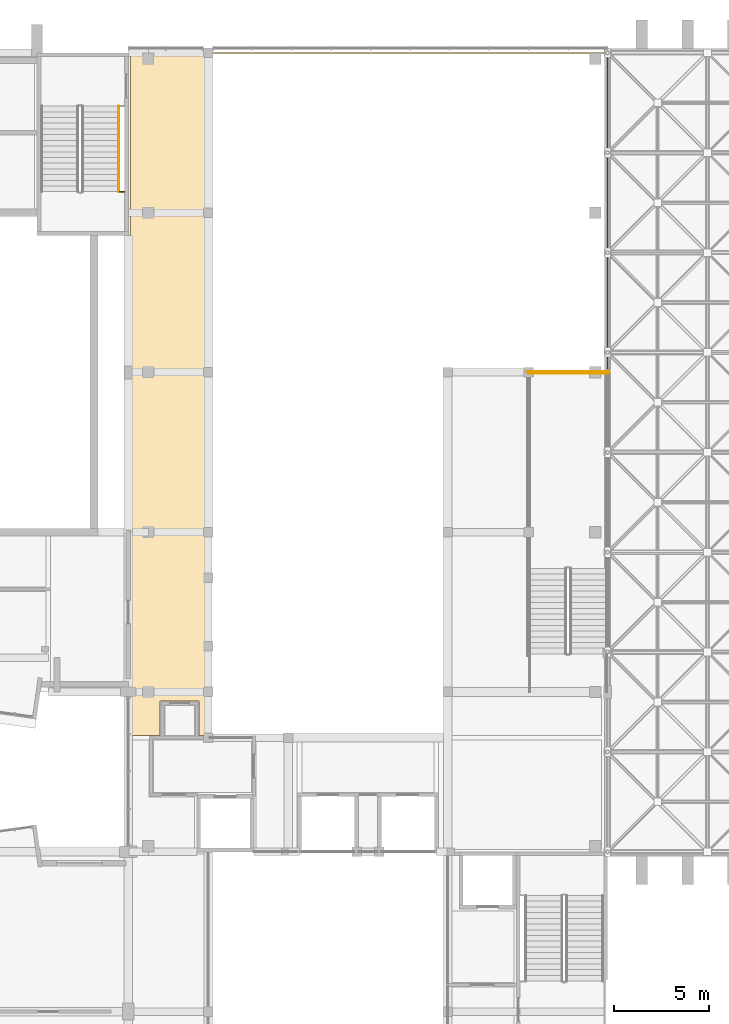
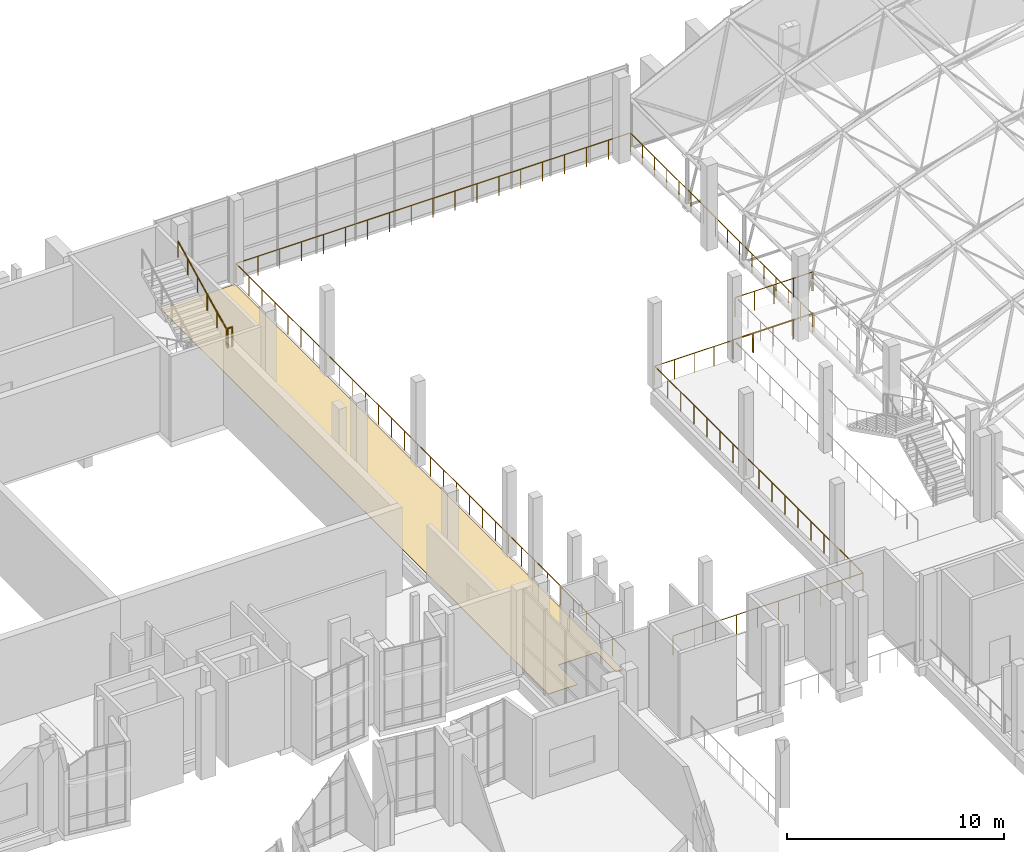
# One storey, part 92 of 100: 5 railings, 1 covering.
"""IFC4 building model written with IfcOpenShell, lengths in metres."""

import ifcopenshell
import ifcopenshell.guid

model = None  # the IFC model being written
_history = None  # IfcOwnerHistory: only IFC2X3 demands one
_inside = {}  # id of a spatial element -> (the spatial element, [elements in it])
_under = {}  # id of a project, library or spatial element -> (it, [spatial elements below it])
_declared = {}  # id of a project -> (the project, [libraries it declares])
_typed = {}  # id of a type object -> (the type object, [elements of that type])
_made_of = {}  # id of a material, layer set ... -> (it, [elements and type objects made of it])


def new_model(schema):
    """Start an empty IFC model of exactly this schema.

    Asked for "IFC4X3", IfcOpenShell would pick the latest addendum, in which some entities
    have other attributes; the version numbers below select the first issue.
    IFC2X3 requires an IfcOwnerHistory on every rooted entity: one is made here for all.
    """
    global model, _history
    if schema == "IFC4X3":
        model = ifcopenshell.file(schema_version=(4, 3, 0, 0))
    else:
        model = ifcopenshell.file(schema=schema)
    _inside.clear()
    _under.clear()
    _declared.clear()
    _typed.clear()
    _made_of.clear()
    _history = None
    if model.schema == "IFC2X3":
        org = make("IfcOrganization", Name="unknown")
        user = make(
            "IfcPersonAndOrganization",
            ThePerson=make("IfcPerson", FamilyName="unknown"),
            TheOrganization=org,
        )
        app = make(
            "IfcApplication",
            ApplicationDeveloper=org,
            Version="unknown",
            ApplicationFullName="unknown",
            ApplicationIdentifier="unknown",
        )
        _history = make(
            "IfcOwnerHistory",
            OwningUser=user,
            OwningApplication=app,
            ChangeAction="ADDED",
            CreationDate=0,
        )
    return model


def make(cls, **values):
    """One entity of the class cls with the attributes given. An attribute that is None is left unset."""
    return model.create_entity(
        cls, **{name: value for name, value in values.items() if value is not None}
    )


def rooted(cls, **values):
    """An entity with a GlobalId (a new one), such as an element, a storey or a relation."""
    return make(cls, GlobalId=ifcopenshell.guid.new(), OwnerHistory=_history, **values)


def si_unit(unit_type, name, prefix=None):
    """IfcSIUnit, for example si_unit("LENGTHUNIT", "METRE", prefix="MILLI")."""
    return make("IfcSIUnit", UnitType=unit_type, Prefix=prefix, Name=name)


def assignment(units):
    """IfcUnitAssignment: the units of a project."""
    return None if units is None else make("IfcUnitAssignment", Units=units)


def point(xyz):
    """IfcCartesianPoint."""
    return None if xyz is None else make("IfcCartesianPoint", Coordinates=xyz)


def direction(xyz):
    """IfcDirection."""
    return None if xyz is None else make("IfcDirection", DirectionRatios=xyz)


def frame(location, z_axis=None, x_axis=None):
    """IfcAxis2Placement3D, a coordinate frame: its origin and axes. An axis left out is left unset."""
    return make(
        "IfcAxis2Placement3D",
        Location=point(location),
        Axis=direction(z_axis),
        RefDirection=direction(x_axis),
    )


def frame_2d(location, x_axis=None):
    """IfcAxis2Placement2D, a coordinate frame in the plane: its origin and x axis."""
    return make(
        "IfcAxis2Placement2D", Location=point(location), RefDirection=direction(x_axis)
    )


def origin():
    """The frame at (0, 0, 0) with its axes left unset."""
    return frame((0.0, 0.0, 0.0))


def origin_2d():
    """The frame at (0, 0) in the plane with its x axis left unset."""
    return frame_2d((0.0, 0.0))


def place(relative_to, where):
    """IfcLocalPlacement: puts the frame where relative to a parent placement (None: the world)."""
    return make(
        "IfcLocalPlacement", PlacementRelTo=relative_to, RelativePlacement=where
    )


def context(
    kind, dimensions, precision=None, world=None, true_north=None, identifier=None
):
    """IfcGeometricRepresentationContext, for example the 3D "Model" context."""
    return make(
        "IfcGeometricRepresentationContext",
        ContextIdentifier=identifier,
        ContextType=kind,
        CoordinateSpaceDimension=dimensions,
        Precision=precision,
        WorldCoordinateSystem=world,
        TrueNorth=true_north,
    )


def subcontext(parent, identifier, kind, view, scale=None):
    """IfcGeometricRepresentationSubContext, for example "Body" below "Model"."""
    return make(
        "IfcGeometricRepresentationSubContext",
        ContextIdentifier=identifier,
        ContextType=kind,
        ParentContext=parent,
        TargetScale=scale,
        TargetView=view,
    )


def project(units=None, contexts=None):
    """IfcProject with its units and contexts."""
    return rooted(
        "IfcProject",
        Name="project",
        RepresentationContexts=contexts,
        UnitsInContext=assignment(units),
    )


def spatial(cls, under=None, at=None, **own):
    """A site, building, storey or space (cls), placed at a placement, below another one or the project."""
    s = rooted(cls, ObjectPlacement=at, **own)
    if under is not None:
        _under.setdefault(under.id(), (under, []))[1].append(s)
    return s


def polyline(points):
    """IfcPolyline through the points."""
    return make("IfcPolyline", Points=[point(p) for p in points])


def profile(cls, at=None, kind="AREA", **sizes):
    """A parametric profile (cls). Its sizes go by their IFC names, for example OverallWidth=200.0."""
    return make(cls, ProfileType=kind, Position=at, **sizes)


def circle(**sizes):
    """IfcCircleProfileDef."""
    return profile("IfcCircleProfileDef", **sizes)


def outline(outer, holes=None, kind="AREA"):
    """IfcArbitraryClosedProfileDef: a profile drawn as a closed curve; with holes, ...WithVoids."""
    if holes is None:
        return make("IfcArbitraryClosedProfileDef", ProfileType=kind, OuterCurve=outer)
    return make(
        "IfcArbitraryProfileDefWithVoids",
        ProfileType=kind,
        OuterCurve=outer,
        InnerCurves=holes,
    )


def extrude(swept, where, along, depth):
    """IfcExtrudedAreaSolid: the profile swept, set in the frame where, extruded along a direction by depth."""
    return make(
        "IfcExtrudedAreaSolid",
        SweptArea=swept,
        Position=where,
        ExtrudedDirection=direction(along),
        Depth=depth,
    )


def shape(context_of_items, identifier, shape_type, items):
    """IfcShapeRepresentation: the items that make up one representation, for example the "Body"."""
    return make(
        "IfcShapeRepresentation",
        ContextOfItems=context_of_items,
        RepresentationIdentifier=identifier,
        RepresentationType=shape_type,
        Items=items,
    )


def material(Name=None, Category=None):
    """IfcMaterial."""
    return make("IfcMaterial", Name=Name, Category=Category)


def layer(
    of_material, thickness, ventilated=None, Name=None, Category=None, Priority=None
):
    """IfcMaterialLayer: one layer of a wall or slab, of a material (None: an air gap)."""
    return make(
        "IfcMaterialLayer",
        Material=of_material,
        LayerThickness=thickness,
        IsVentilated=ventilated,
        Name=Name,
        Category=Category,
        Priority=Priority,
    )


def layer_set(layers, Name=None):
    """IfcMaterialLayerSet."""
    return make("IfcMaterialLayerSet", MaterialLayers=layers, LayerSetName=Name)


def made_of(thing, what):
    """Note that an element or type object is made of a material, layer set ...; save() writes the relation."""
    if what is not None:
        _made_of.setdefault(what.id(), (what, []))[1].append(thing)
    return thing


def type_object(cls, material=None, **own):
    """A type object (cls), such as IfcWallType, which elements share."""
    return made_of(rooted(cls, **own), material)


def element(
    cls,
    number,
    at=None,
    inside=None,
    cuts=None,
    type_object=None,
    material=None,
    context=None,
    identifier="Body",
    shape_type=None,
    held_by="IfcProductDefinitionShape",
    body=None,
    shapes=None,
    **own,
):
    """One element of the class cls, such as IfcWall. Its Tag is "e" and its number.

    at: its placement. inside: the storey or other place that contains it. cuts: it is an
    opening in that element (IfcRelVoidsElement). A single representation is given by context,
    identifier, shape_type and body (its items); several are given by shapes. held_by: the class
    of the entity that holds the representations. save() writes the other relations.
    """
    e = rooted(cls, Tag="e%d" % number, ObjectPlacement=at, **own)
    if body is not None:
        shapes = [shape(context, identifier, shape_type, body)]
    if shapes is not None:
        e.Representation = make(held_by, Representations=shapes)
    if inside is not None:
        _inside.setdefault(inside.id(), (inside, []))[1].append(e)
    if cuts is not None:
        rooted(
            "IfcRelVoidsElement", RelatingBuildingElement=cuts, RelatedOpeningElement=e
        )
    if type_object is not None:
        _typed.setdefault(type_object.id(), (type_object, []))[1].append(e)
    return made_of(e, material)


def aggregate(whole, parts):
    """IfcRelAggregates: a whole, such as a stair, and the parts it consists of."""
    return rooted("IfcRelAggregates", RelatingObject=whole, RelatedObjects=parts)


def save(model, path):
    """Write the relations noted so far, then the file.

    IfcRelAggregates (storeys below a building ...), IfcRelContainedInSpatialStructure (elements
    in a storey), IfcRelDefinesByType, IfcRelAssociatesMaterial and IfcRelDeclares: one each for
    every whole, place, type object, material and project.
    """
    for whole, parts in _under.values():
        aggregate(whole, parts)
    for where, things in _inside.values():
        rooted(
            "IfcRelContainedInSpatialStructure",
            RelatedElements=things,
            RelatingStructure=where,
        )
    for kind, things in _typed.values():
        rooted("IfcRelDefinesByType", RelatedObjects=things, RelatingType=kind)
    for what, things in _made_of.values():
        rooted("IfcRelAssociatesMaterial", RelatedObjects=things, RelatingMaterial=what)
    for by, libraries in _declared.values():
        rooted("IfcRelDeclares", RelatingContext=by, RelatedDefinitions=libraries)
    model.write(path)


model = new_model("IFC4")

# Units and contexts
model_context = context("Model", 3, precision=1e-05, world=origin(), true_north=direction((0.0, 1.0)))
body_context = subcontext(model_context, "Body", "Model", "MODEL_VIEW")
ifc_project = project(units=[si_unit("LENGTHUNIT", "METRE"), si_unit("AREAUNIT", "SQUARE_METRE"), si_unit("VOLUMEUNIT", "CUBIC_METRE"), si_unit("PLANEANGLEUNIT", "RADIAN"), si_unit("MASSUNIT", "GRAM", prefix="KILO")], contexts=[model_context])

# Site, building, storey
site_placement = place(None, origin())
site = spatial("IfcSite", under=ifc_project, at=site_placement, CompositionType="ELEMENT")
building_placement = place(site_placement, origin())
building = spatial("IfcBuilding", under=site, at=building_placement, Name="Kiln Court Media Centre", CompositionType="ELEMENT")
storey_placement = place(building_placement, frame((0.0, 0.0, 15.0)))
storey = spatial("IfcBuildingStorey", under=building, at=storey_placement, Name="L03", CompositionType="ELEMENT", Elevation=15.0)

# Covering
ifc_material_1 = material(Name="Terrazzo")
ifc_layer = layer(ifc_material_1, 0.02490234375)
ifc_layer_set = layer_set([ifc_layer], Name="Polished terrazzo floor finish 25")
covering_type = type_object("IfcCoveringType", Name="Polished terrazzo floor finish 25", PredefinedType="FLOORING", material=ifc_layer_set)
covering_placement = place(storey_placement, origin())
element("IfcCovering", 1, at=covering_placement, inside=storey, type_object=covering_type, Name="West Gallery floor finish", PredefinedType="FLOORING", context=body_context, shape_type="SweptSolid", body=[
    extrude(outline(polyline([(33.719970703125, 31.320068359375), (35.280029296875, 31.320068359375), (35.280029296875, 33.1201171875), (37.320068359375, 33.1201171875), (37.320068359375, 31.320068359375), (37.679931640625, 31.320068359375), (37.679931640625, 67.080078125), (33.719970703125, 67.080078125), (33.719970703125, 31.320068359375)])), origin(), (0.0, 0.0, 1.0), 0.02490234375),
])

# Railings
ifc_material_2 = material(Name="Steel S275", Category="steel")
railing_type_1 = type_object("IfcRailingType", Name="Steel S275 balustrade guard 1100", PredefinedType="GUARDRAIL", material=ifc_material_2)
railing_1_placement = place(storey_placement, frame((40.294921875, 31.199951171875, 0.0)))
element("IfcRailing", 2, at=railing_1_placement, inside=storey, type_object=railing_type_1, Name="L03 void edge guard", PredefinedType="GUARDRAIL", context=body_context, shape_type="SweptSolid", body=[
    extrude(circle(Radius=0.02392578125, at=origin_2d()), frame((0.0, 0.0, 1.076171875), z_axis=(1.0, 0.0, 0.0), x_axis=(0.0, 1.0, 0.0)), (0.0, 0.0, 1.0), 10.10498046875),
    extrude(circle(Radius=0.02392578125, at=origin_2d()), frame((10.10498046875, 0.0, 1.076171875), z_axis=(0.0, 1.0, 0.0), x_axis=(-1.0, 0.0, 0.0)), (0.0, 0.0, 1.0), 19.199951171875),
    extrude(circle(Radius=0.02392578125, at=origin_2d()), frame((10.10498046875, 19.199951171875, 1.076171875), z_axis=(1.0, 0.0, 0.0), x_axis=(0.0, 1.0, 0.0)), (0.0, 0.0, 1.0), 8.400146484375),
    extrude(circle(Radius=0.02392578125, at=origin_2d()), frame((18.505126953125, 19.199951171875, 1.076171875), z_axis=(0.0, 1.0, 0.0), x_axis=(-1.0, 0.0, 0.0)), (0.0, 0.0, 1.0), 16.800048828125),
    extrude(circle(Radius=0.02392578125, at=origin_2d()), frame((18.505126953125, 36.0, 1.076171875), z_axis=(-1.0, 0.0, 0.0), x_axis=(0.0, -1.0, 0.0)), (0.0, 0.0, 1.0), 21.0),
    extrude(circle(Radius=0.02392578125, at=origin_2d()), frame((-2.494873046875, 36.0, 1.076171875), z_axis=(0.0, -1.0, 0.0), x_axis=(1.0, 0.0, 0.0)), (0.0, 0.0, 1.0), 35.905029296875),
    extrude(circle(Radius=0.02099609375, at=origin_2d()), origin(), (0.0, 0.0, 1.0), 1.052001953125),
    extrude(circle(Radius=0.02099609375, at=origin_2d()), frame((1.122802734375, 0.0, 0.0)), (0.0, 0.0, 1.0), 1.052001953125),
    extrude(circle(Radius=0.02099609375, at=origin_2d()), frame((2.24560546875, 0.0, 0.0)), (0.0, 0.0, 1.0), 1.052001953125),
    extrude(circle(Radius=0.02099609375, at=origin_2d()), frame((3.368408203125, 0.0, 0.0)), (0.0, 0.0, 1.0), 1.052001953125),
    extrude(circle(Radius=0.02099609375, at=origin_2d()), frame((4.4912109375, 0.0, 0.0)), (0.0, 0.0, 1.0), 1.052001953125),
    extrude(circle(Radius=0.02099609375, at=origin_2d()), frame((5.61376953125, 0.0, 0.0)), (0.0, 0.0, 1.0), 1.052001953125),
    extrude(circle(Radius=0.02099609375, at=origin_2d()), frame((6.736572265625, 0.0, 0.0)), (0.0, 0.0, 1.0), 1.052001953125),
    extrude(circle(Radius=0.02099609375, at=origin_2d()), frame((7.859375, 0.0, 0.0)), (0.0, 0.0, 1.0), 1.052001953125),
    extrude(circle(Radius=0.02099609375, at=origin_2d()), frame((8.982177734375, 0.0, 0.0)), (0.0, 0.0, 1.0), 1.052001953125),
    extrude(circle(Radius=0.02099609375, at=origin_2d()), frame((10.10498046875, 0.0, 0.0)), (0.0, 0.0, 1.0), 1.052001953125),
    extrude(circle(Radius=0.02099609375, at=origin_2d()), frame((10.10498046875, 1.199951171875, 0.0)), (0.0, 0.0, 1.0), 1.052001953125),
    extrude(circle(Radius=0.02099609375, at=origin_2d()), frame((10.10498046875, 2.39990234375, 0.0)), (0.0, 0.0, 1.0), 1.052001953125),
    extrude(circle(Radius=0.02099609375, at=origin_2d()), frame((10.10498046875, 3.60009765625, 0.0)), (0.0, 0.0, 1.0), 1.052001953125),
    extrude(circle(Radius=0.02099609375, at=origin_2d()), frame((10.10498046875, 4.800048828125, 0.0)), (0.0, 0.0, 1.0), 1.052001953125),
    extrude(circle(Radius=0.02099609375, at=origin_2d()), frame((10.10498046875, 6.0, 0.0)), (0.0, 0.0, 1.0), 1.052001953125),
    extrude(circle(Radius=0.02099609375, at=origin_2d()), frame((10.10498046875, 7.199951171875, 0.0)), (0.0, 0.0, 1.0), 1.052001953125),
    extrude(circle(Radius=0.02099609375, at=origin_2d()), frame((10.10498046875, 8.39990234375, 0.0)), (0.0, 0.0, 1.0), 1.052001953125),
    extrude(circle(Radius=0.02099609375, at=origin_2d()), frame((10.10498046875, 9.60009765625, 0.0)), (0.0, 0.0, 1.0), 1.052001953125),
    extrude(circle(Radius=0.02099609375, at=origin_2d()), frame((10.10498046875, 10.800048828125, 0.0)), (0.0, 0.0, 1.0), 1.052001953125),
    extrude(circle(Radius=0.02099609375, at=origin_2d()), frame((10.10498046875, 12.0, 0.0)), (0.0, 0.0, 1.0), 1.052001953125),
    extrude(circle(Radius=0.02099609375, at=origin_2d()), frame((10.10498046875, 13.199951171875, 0.0)), (0.0, 0.0, 1.0), 1.052001953125),
    extrude(circle(Radius=0.02099609375, at=origin_2d()), frame((10.10498046875, 14.39990234375, 0.0)), (0.0, 0.0, 1.0), 1.052001953125),
    extrude(circle(Radius=0.02099609375, at=origin_2d()), frame((10.10498046875, 15.599853515625, 0.0)), (0.0, 0.0, 1.0), 1.052001953125),
    extrude(circle(Radius=0.02099609375, at=origin_2d()), frame((10.10498046875, 16.800048828125, 0.0)), (0.0, 0.0, 1.0), 1.052001953125),
    extrude(circle(Radius=0.02099609375, at=origin_2d()), frame((10.10498046875, 18.0, 0.0)), (0.0, 0.0, 1.0), 1.052001953125),
    extrude(circle(Radius=0.02099609375, at=origin_2d()), frame((10.10498046875, 19.199951171875, 0.0)), (0.0, 0.0, 1.0), 1.052001953125),
    extrude(circle(Radius=0.02099609375, at=origin_2d()), frame((11.155029296875, 19.199951171875, 0.0)), (0.0, 0.0, 1.0), 1.052001953125),
    extrude(circle(Radius=0.02099609375, at=origin_2d()), frame((12.205078125, 19.199951171875, 0.0)), (0.0, 0.0, 1.0), 1.052001953125),
    extrude(circle(Radius=0.02099609375, at=origin_2d()), frame((13.255126953125, 19.199951171875, 0.0)), (0.0, 0.0, 1.0), 1.052001953125),
    extrude(circle(Radius=0.02099609375, at=origin_2d()), frame((14.30517578125, 19.199951171875, 0.0)), (0.0, 0.0, 1.0), 1.052001953125),
    extrude(circle(Radius=0.02099609375, at=origin_2d()), frame((15.35498046875, 19.199951171875, 0.0)), (0.0, 0.0, 1.0), 1.052001953125),
    extrude(circle(Radius=0.02099609375, at=origin_2d()), frame((16.405029296875, 19.199951171875, 0.0)), (0.0, 0.0, 1.0), 1.052001953125),
    extrude(circle(Radius=0.02099609375, at=origin_2d()), frame((17.455078125, 19.199951171875, 0.0)), (0.0, 0.0, 1.0), 1.052001953125),
    extrude(circle(Radius=0.02099609375, at=origin_2d()), frame((18.505126953125, 19.199951171875, 0.0)), (0.0, 0.0, 1.0), 1.052001953125),
    extrude(circle(Radius=0.02099609375, at=origin_2d()), frame((18.505126953125, 20.320068359375, 0.0)), (0.0, 0.0, 1.0), 1.052001953125),
    extrude(circle(Radius=0.02099609375, at=origin_2d()), frame((18.505126953125, 21.43994140625, 0.0)), (0.0, 0.0, 1.0), 1.052001953125),
    extrude(circle(Radius=0.02099609375, at=origin_2d()), frame((18.505126953125, 22.56005859375, 0.0)), (0.0, 0.0, 1.0), 1.052001953125),
    extrude(circle(Radius=0.02099609375, at=origin_2d()), frame((18.505126953125, 23.679931640625, 0.0)), (0.0, 0.0, 1.0), 1.052001953125),
    extrude(circle(Radius=0.02099609375, at=origin_2d()), frame((18.505126953125, 24.800048828125, 0.0)), (0.0, 0.0, 1.0), 1.052001953125),
    extrude(circle(Radius=0.02099609375, at=origin_2d()), frame((18.505126953125, 25.919921875, 0.0)), (0.0, 0.0, 1.0), 1.052001953125),
    extrude(circle(Radius=0.02099609375, at=origin_2d()), frame((18.505126953125, 27.0400390625, 0.0)), (0.0, 0.0, 1.0), 1.052001953125),
    extrude(circle(Radius=0.02099609375, at=origin_2d()), frame((18.505126953125, 28.159912109375, 0.0)), (0.0, 0.0, 1.0), 1.052001953125),
    extrude(circle(Radius=0.02099609375, at=origin_2d()), frame((18.505126953125, 29.280029296875, 0.0)), (0.0, 0.0, 1.0), 1.052001953125),
    extrude(circle(Radius=0.02099609375, at=origin_2d()), frame((18.505126953125, 30.39990234375, 0.0)), (0.0, 0.0, 1.0), 1.052001953125),
    extrude(circle(Radius=0.02099609375, at=origin_2d()), frame((18.505126953125, 31.52001953125, 0.0)), (0.0, 0.0, 1.0), 1.052001953125),
    extrude(circle(Radius=0.02099609375, at=origin_2d()), frame((18.505126953125, 32.639892578125, 0.0)), (0.0, 0.0, 1.0), 1.052001953125),
    extrude(circle(Radius=0.02099609375, at=origin_2d()), frame((18.505126953125, 33.760009765625, 0.0)), (0.0, 0.0, 1.0), 1.052001953125),
    extrude(circle(Radius=0.02099609375, at=origin_2d()), frame((18.505126953125, 34.8798828125, 0.0)), (0.0, 0.0, 1.0), 1.052001953125),
    extrude(circle(Radius=0.02099609375, at=origin_2d()), frame((18.505126953125, 36.0, 0.0)), (0.0, 0.0, 1.0), 1.052001953125),
    extrude(circle(Radius=0.02099609375, at=origin_2d()), frame((17.33837890625, 36.0, 0.0)), (0.0, 0.0, 1.0), 1.052001953125),
    extrude(circle(Radius=0.02099609375, at=origin_2d()), frame((16.171875, 36.0, 0.0)), (0.0, 0.0, 1.0), 1.052001953125),
    extrude(circle(Radius=0.02099609375, at=origin_2d()), frame((15.005126953125, 36.0, 0.0)), (0.0, 0.0, 1.0), 1.052001953125),
    extrude(circle(Radius=0.02099609375, at=origin_2d()), frame((13.83837890625, 36.0, 0.0)), (0.0, 0.0, 1.0), 1.052001953125),
    extrude(circle(Radius=0.02099609375, at=origin_2d()), frame((12.671875, 36.0, 0.0)), (0.0, 0.0, 1.0), 1.052001953125),
    extrude(circle(Radius=0.02099609375, at=origin_2d()), frame((11.505126953125, 36.0, 0.0)), (0.0, 0.0, 1.0), 1.052001953125),
    extrude(circle(Radius=0.02099609375, at=origin_2d()), frame((10.33837890625, 36.0, 0.0)), (0.0, 0.0, 1.0), 1.052001953125),
    extrude(circle(Radius=0.02099609375, at=origin_2d()), frame((9.171875, 36.0, 0.0)), (0.0, 0.0, 1.0), 1.052001953125),
    extrude(circle(Radius=0.02099609375, at=origin_2d()), frame((8.005126953125, 36.0, 0.0)), (0.0, 0.0, 1.0), 1.052001953125),
    extrude(circle(Radius=0.02099609375, at=origin_2d()), frame((6.83837890625, 36.0, 0.0)), (0.0, 0.0, 1.0), 1.052001953125),
    extrude(circle(Radius=0.02099609375, at=origin_2d()), frame((5.671875, 36.0, 0.0)), (0.0, 0.0, 1.0), 1.052001953125),
    extrude(circle(Radius=0.02099609375, at=origin_2d()), frame((4.505126953125, 36.0, 0.0)), (0.0, 0.0, 1.0), 1.052001953125),
    extrude(circle(Radius=0.02099609375, at=origin_2d()), frame((3.33837890625, 36.0, 0.0)), (0.0, 0.0, 1.0), 1.052001953125),
    extrude(circle(Radius=0.02099609375, at=origin_2d()), frame((2.171875, 36.0, 0.0)), (0.0, 0.0, 1.0), 1.052001953125),
    extrude(circle(Radius=0.02099609375, at=origin_2d()), frame((1.005126953125, 36.0, 0.0)), (0.0, 0.0, 1.0), 1.052001953125),
    extrude(circle(Radius=0.02099609375, at=origin_2d()), frame((-0.16162109375, 36.0, 0.0)), (0.0, 0.0, 1.0), 1.052001953125),
    extrude(circle(Radius=0.02099609375, at=origin_2d()), frame((-1.328125, 36.0, 0.0)), (0.0, 0.0, 1.0), 1.052001953125),
    extrude(circle(Radius=0.02099609375, at=origin_2d()), frame((-2.494873046875, 36.0, 0.0)), (0.0, 0.0, 1.0), 1.052001953125),
    extrude(circle(Radius=0.02099609375, at=origin_2d()), frame((-2.494873046875, 34.80322265625, 0.0)), (0.0, 0.0, 1.0), 1.052001953125),
    extrude(circle(Radius=0.02099609375, at=origin_2d()), frame((-2.494873046875, 33.6064453125, 0.0)), (0.0, 0.0, 1.0), 1.052001953125),
    extrude(circle(Radius=0.02099609375, at=origin_2d()), frame((-2.494873046875, 32.409423828125, 0.0)), (0.0, 0.0, 1.0), 1.052001953125),
    extrude(circle(Radius=0.02099609375, at=origin_2d()), frame((-2.494873046875, 31.212646484375, 0.0)), (0.0, 0.0, 1.0), 1.052001953125),
    extrude(circle(Radius=0.02099609375, at=origin_2d()), frame((-2.494873046875, 30.015869140625, 0.0)), (0.0, 0.0, 1.0), 1.052001953125),
    extrude(circle(Radius=0.02099609375, at=origin_2d()), frame((-2.494873046875, 28.819091796875, 0.0)), (0.0, 0.0, 1.0), 1.052001953125),
    extrude(circle(Radius=0.02099609375, at=origin_2d()), frame((-2.494873046875, 27.6220703125, 0.0)), (0.0, 0.0, 1.0), 1.052001953125),
    extrude(circle(Radius=0.02099609375, at=origin_2d()), frame((-2.494873046875, 26.42529296875, 0.0)), (0.0, 0.0, 1.0), 1.052001953125),
    extrude(circle(Radius=0.02099609375, at=origin_2d()), frame((-2.494873046875, 25.228515625, 0.0)), (0.0, 0.0, 1.0), 1.052001953125),
    extrude(circle(Radius=0.02099609375, at=origin_2d()), frame((-2.494873046875, 24.03173828125, 0.0)), (0.0, 0.0, 1.0), 1.052001953125),
    extrude(circle(Radius=0.02099609375, at=origin_2d()), frame((-2.494873046875, 22.834716796875, 0.0)), (0.0, 0.0, 1.0), 1.052001953125),
    extrude(circle(Radius=0.02099609375, at=origin_2d()), frame((-2.494873046875, 21.637939453125, 0.0)), (0.0, 0.0, 1.0), 1.052001953125),
    extrude(circle(Radius=0.02099609375, at=origin_2d()), frame((-2.494873046875, 20.441162109375, 0.0)), (0.0, 0.0, 1.0), 1.052001953125),
    extrude(circle(Radius=0.02099609375, at=origin_2d()), frame((-2.494873046875, 19.244384765625, 0.0)), (0.0, 0.0, 1.0), 1.052001953125),
    extrude(circle(Radius=0.02099609375, at=origin_2d()), frame((-2.494873046875, 18.04736328125, 0.0)), (0.0, 0.0, 1.0), 1.052001953125),
    extrude(circle(Radius=0.02099609375, at=origin_2d()), frame((-2.494873046875, 16.8505859375, 0.0)), (0.0, 0.0, 1.0), 1.052001953125),
    extrude(circle(Radius=0.02099609375, at=origin_2d()), frame((-2.494873046875, 15.65380859375, 0.0)), (0.0, 0.0, 1.0), 1.052001953125),
    extrude(circle(Radius=0.02099609375, at=origin_2d()), frame((-2.494873046875, 14.45703125, 0.0)), (0.0, 0.0, 1.0), 1.052001953125),
    extrude(circle(Radius=0.02099609375, at=origin_2d()), frame((-2.494873046875, 13.26025390625, 0.0)), (0.0, 0.0, 1.0), 1.052001953125),
    extrude(circle(Radius=0.02099609375, at=origin_2d()), frame((-2.494873046875, 12.063232421875, 0.0)), (0.0, 0.0, 1.0), 1.052001953125),
    extrude(circle(Radius=0.02099609375, at=origin_2d()), frame((-2.494873046875, 10.866455078125, 0.0)), (0.0, 0.0, 1.0), 1.052001953125),
    extrude(circle(Radius=0.02099609375, at=origin_2d()), frame((-2.494873046875, 9.669677734375, 0.0)), (0.0, 0.0, 1.0), 1.052001953125),
    extrude(circle(Radius=0.02099609375, at=origin_2d()), frame((-2.494873046875, 8.472900390625, 0.0)), (0.0, 0.0, 1.0), 1.052001953125),
    extrude(circle(Radius=0.02099609375, at=origin_2d()), frame((-2.494873046875, 7.27587890625, 0.0)), (0.0, 0.0, 1.0), 1.052001953125),
    extrude(circle(Radius=0.02099609375, at=origin_2d()), frame((-2.494873046875, 6.0791015625, 0.0)), (0.0, 0.0, 1.0), 1.052001953125),
    extrude(circle(Radius=0.02099609375, at=origin_2d()), frame((-2.494873046875, 4.88232421875, 0.0)), (0.0, 0.0, 1.0), 1.052001953125),
    extrude(circle(Radius=0.02099609375, at=origin_2d()), frame((-2.494873046875, 3.685546875, 0.0)), (0.0, 0.0, 1.0), 1.052001953125),
    extrude(circle(Radius=0.02099609375, at=origin_2d()), frame((-2.494873046875, 2.488525390625, 0.0)), (0.0, 0.0, 1.0), 1.052001953125),
    extrude(circle(Radius=0.02099609375, at=origin_2d()), frame((-2.494873046875, 1.291748046875, 0.0)), (0.0, 0.0, 1.0), 1.052001953125),
    extrude(circle(Radius=0.02099609375, at=origin_2d()), frame((-2.494873046875, 0.094970703125, 0.0)), (0.0, 0.0, 1.0), 1.052001953125),
])
ifc_material_3 = material(Name="Steel S275", Category="steel")
railing_type_2 = type_object("IfcRailingType", Name="Steel S275 stair guard 1100", PredefinedType="GUARDRAIL", material=ifc_material_3)
railing_2_placement = place(storey_placement, frame((33.14990234375, 59.89990234375, 2.39990234375)))
element("IfcRailing", 3, at=railing_2_placement, inside=storey, type_object=railing_type_2, Name="ST-08 landing edge guard", PredefinedType="GUARDRAIL", context=body_context, shape_type="SweptSolid", body=[
    extrude(circle(Radius=0.02392578125, at=origin_2d()), frame((0.0, 0.0, 1.076171875), z_axis=(1.0, 0.0, 0.0), x_axis=(0.0, 1.0, 0.0)), (0.0, 0.0, 1.0), 0.25),
    extrude(circle(Radius=0.02099609375, at=origin_2d()), origin(), (0.0, 0.0, 1.0), 1.052001953125),
    extrude(circle(Radius=0.02099609375, at=origin_2d()), frame((0.25, 0.0, 0.0)), (0.0, 0.0, 1.0), 1.052001953125),
])
railing_3_placement = place(storey_placement, frame((58.800048828125, 50.35009765625, 2.39990234375)))
element("IfcRailing", 4, at=railing_3_placement, inside=storey, type_object=railing_type_2, Name="ST-F1 stair guard", PredefinedType="GUARDRAIL", context=body_context, shape_type="SweptSolid", body=[
    extrude(circle(Radius=0.02392578125, at=origin_2d()), frame((0.0, 0.0, 1.076171875), z_axis=(-1.0, 0.0, 0.0), x_axis=(0.0, -1.0, 0.0)), (0.0, 0.0, 1.0), 4.150146484375),
    extrude(circle(Radius=0.02099609375, at=origin_2d()), origin(), (0.0, 0.0, 1.0), 1.052001953125),
    extrude(circle(Radius=0.02099609375, at=origin_2d()), frame((-1.03759765625, 0.0, 0.0)), (0.0, 0.0, 1.0), 1.052001953125),
    extrude(circle(Radius=0.02099609375, at=origin_2d()), frame((-2.0751953125, 0.0, 0.0)), (0.0, 0.0, 1.0), 1.052001953125),
    extrude(circle(Radius=0.02099609375, at=origin_2d()), frame((-3.112548828125, 0.0, 0.0)), (0.0, 0.0, 1.0), 1.052001953125),
    extrude(circle(Radius=0.02099609375, at=origin_2d()), frame((-4.150146484375, 0.0, 0.0)), (0.0, 0.0, 1.0), 1.052001953125),
])
railing_4_placement = place(storey_placement, frame((58.89990234375, 50.449951171875, 0.0)))
element("IfcRailing", 5, at=railing_4_placement, inside=storey, type_object=railing_type_2, Name="ST-F1 stair guard", PredefinedType="GUARDRAIL", context=body_context, shape_type="SweptSolid", body=[
    extrude(circle(Radius=0.02392578125, at=origin_2d()), frame((0.0, 0.0, 1.076171875), z_axis=(-1.0, 0.0, 0.0), x_axis=(0.0, -1.0, 0.0)), (0.0, 0.0, 1.0), 4.349853515625),
    extrude(circle(Radius=0.02099609375, at=origin_2d()), origin(), (0.0, 0.0, 1.0), 1.052001953125),
    extrude(circle(Radius=0.02099609375, at=origin_2d()), frame((-1.08740234375, 0.0, 0.0)), (0.0, 0.0, 1.0), 1.052001953125),
    extrude(circle(Radius=0.02099609375, at=origin_2d()), frame((-2.1748046875, 0.0, 0.0)), (0.0, 0.0, 1.0), 1.052001953125),
    extrude(circle(Radius=0.02099609375, at=origin_2d()), frame((-3.262451171875, 0.0, 0.0)), (0.0, 0.0, 1.0), 1.052001953125),
    extrude(circle(Radius=0.02099609375, at=origin_2d()), frame((-4.349853515625, 0.0, 0.0)), (0.0, 0.0, 1.0), 1.052001953125),
])
ifc_material_4 = material(Name="Steel S275", Category="steel")
railing_type_3 = type_object("IfcRailingType", Name="Steel S275 stair handrail 900", PredefinedType="HANDRAIL", material=ifc_material_4)
railing_5_placement = place(storey_placement, frame((33.10009765625, 59.89990234375, 2.550048828125)))
element("IfcRailing", 6, at=railing_5_placement, inside=storey, type_object=railing_type_3, Name="ST-08 stair handrail", PredefinedType="HANDRAIL", context=body_context, shape_type="SweptSolid", body=[
    extrude(circle(Radius=0.02392578125, at=origin_2d()), frame((0.0, 0.0, 0.8759765625), z_axis=(0.0, 0.894427191, 0.4472135955), x_axis=(-1.0, 0.0, 0.0)), (0.0, 0.0, 1.0), 5.03125),
    extrude(circle(Radius=0.02099609375, at=origin_2d()), origin(), (0.0, 0.0, 1.0), 0.851806640625),
    extrude(circle(Radius=0.02099609375, at=origin_2d()), frame((0.0, 0.89990234375, 0.449951171875)), (0.0, 0.0, 1.0), 0.851806640625),
    extrude(circle(Radius=0.02099609375, at=origin_2d()), frame((0.0, 1.800048828125, 0.89990234375)), (0.0, 0.0, 1.0), 0.851806640625),
    extrude(circle(Radius=0.02099609375, at=origin_2d()), frame((0.0, 2.699951171875, 1.35009765625)), (0.0, 0.0, 1.0), 0.851806640625),
    extrude(circle(Radius=0.02099609375, at=origin_2d()), frame((0.0, 3.60009765625, 1.800048828125)), (0.0, 0.0, 1.0), 0.851806640625),
    extrude(circle(Radius=0.02099609375, at=origin_2d()), frame((0.0, 4.5, 2.25)), (0.0, 0.0, 1.0), 0.851806640625),
])

save(model, "model.ifc")
